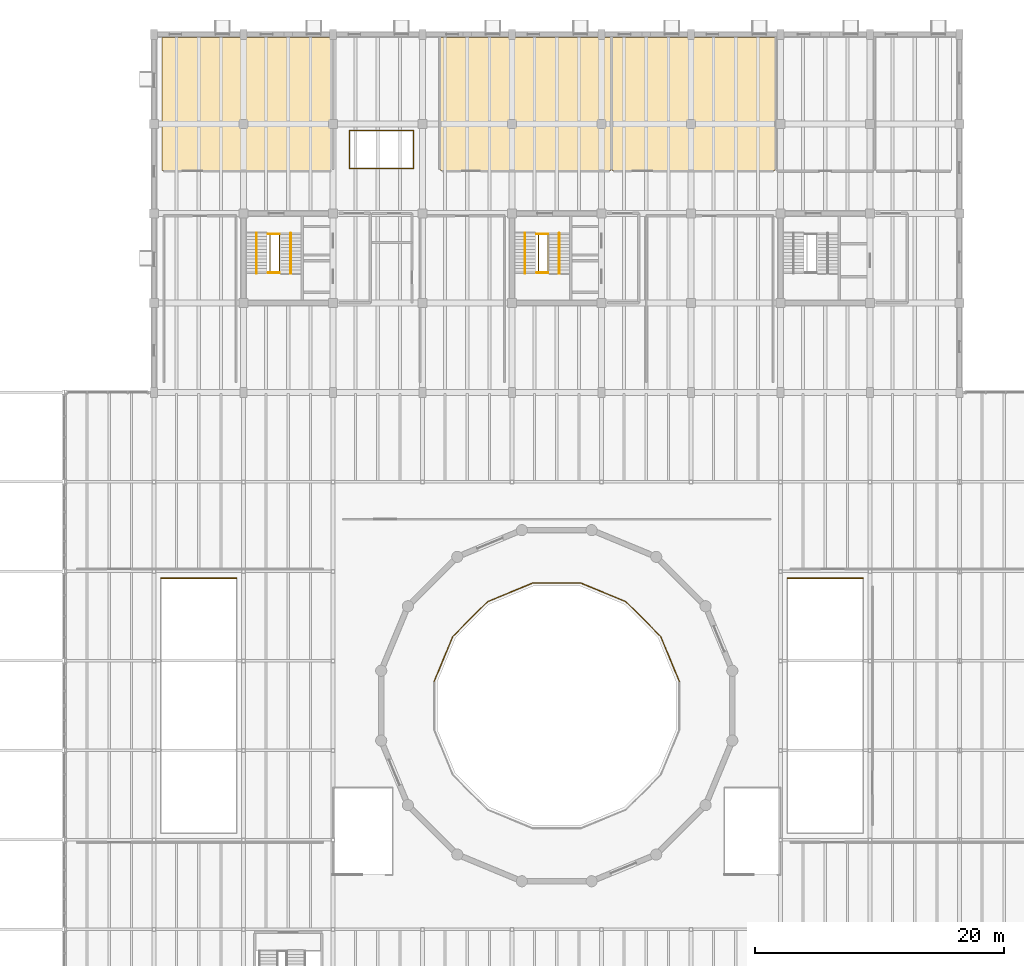
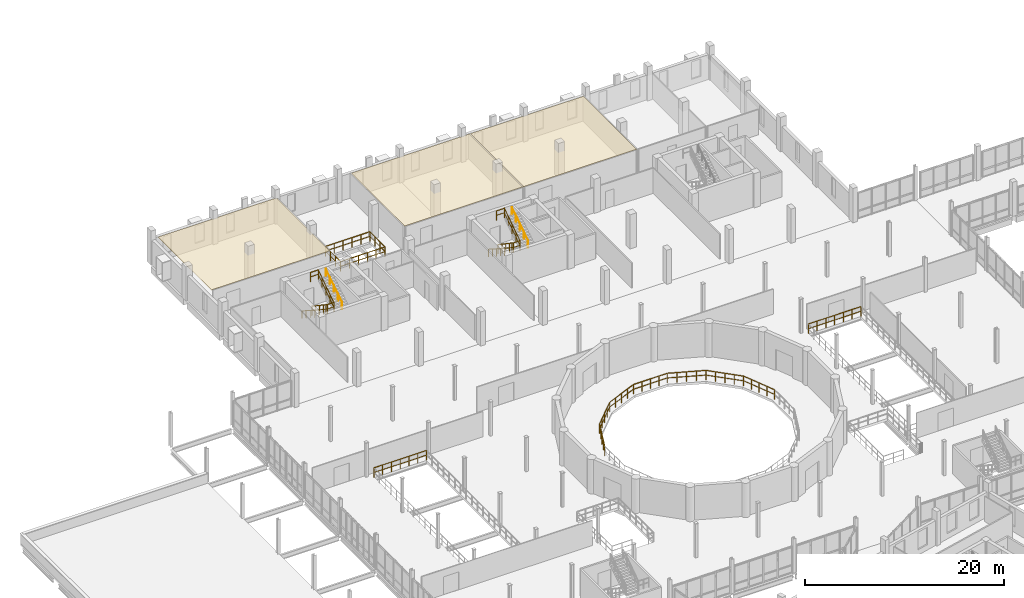
# One storey, part 70 of 72: 25 railings, 3 coverings.
"""IFC4 building model written with IfcOpenShell, lengths in metres."""

from ifc_helpers import new_model, si_unit, direction, frame, origin, origin_2d, place, context, subcontext, project, spatial, polyline, circle, outline, extrude, material, layer, layer_set, type_object, element, save


model = new_model("IFC4")

# Units and contexts
model_context = context("Model", 3, precision=1e-05, world=origin(), true_north=direction((0.0, 1.0)))
body_context = subcontext(model_context, "Body", "Model", "MODEL_VIEW")
ifc_project = project(units=[si_unit("LENGTHUNIT", "METRE"), si_unit("AREAUNIT", "SQUARE_METRE"), si_unit("VOLUMEUNIT", "CUBIC_METRE"), si_unit("PLANEANGLEUNIT", "RADIAN"), si_unit("MASSUNIT", "GRAM", prefix="KILO")], contexts=[model_context])

# Site, building, storey
site_placement = place(None, origin())
site = spatial("IfcSite", under=ifc_project, at=site_placement, CompositionType="ELEMENT")
building_placement = place(site_placement, origin())
building = spatial("IfcBuilding", under=site, at=building_placement, Name="Qiaolan Assembly House", CompositionType="ELEMENT")
storey_placement = place(building_placement, frame((0.0, 0.0, 10.199951171875)))
storey = spatial("IfcBuildingStorey", under=building, at=storey_placement, Name="L02", CompositionType="ELEMENT", Elevation=10.199951171875)

# Coverings
ifc_material_1 = material(Name="Gypsum plasterboard acoustic ceiling")
ifc_layer = layer(ifc_material_1, 0.052001953125)
ifc_layer_set = layer_set([ifc_layer], Name="Gypsum plasterboard acoustic ceiling")
covering_type = type_object("IfcCoveringType", Name="COV-CEIL-GYPSUM", PredefinedType="CEILING", material=ifc_layer_set)
covering_1_placement = place(storey_placement, frame((0.0, 0.0, 3.028076171875)))
element("IfcCovering", 1, at=covering_1_placement, inside=storey, type_object=covering_type, Name="Suspended ceiling Committee Room 3 — Transport & Infrastructure", PredefinedType="CEILING", context=body_context, shape_type="SweptSolid", body=[
    extrude(outline(polyline([(36.639892578125, 104.239990234375), (50.360107421875, 104.239990234375), (50.360107421875, 114.949951171875), (36.639892578125, 114.949951171875), (36.639892578125, 104.239990234375)])), origin(), (0.0, 0.0, 1.0), 0.052001953125),
])
covering_2_placement = place(storey_placement, frame((0.0, 0.0, 3.028076171875)))
element("IfcCovering", 2, at=covering_2_placement, inside=storey, type_object=covering_type, Name="Suspended ceiling Committee Room 4 — Ecology & Yangtze Basin", PredefinedType="CEILING", context=body_context, shape_type="SweptSolid", body=[
    extrude(outline(polyline([(59.0400390625, 104.239990234375), (72.760009765625, 104.239990234375), (72.760009765625, 114.949951171875), (59.0400390625, 114.949951171875), (59.0400390625, 104.239990234375)])), origin(), (0.0, 0.0, 1.0), 0.052001953125),
])
covering_3_placement = place(storey_placement, frame((0.0, 0.0, 3.028076171875)))
element("IfcCovering", 3, at=covering_3_placement, inside=storey, type_object=covering_type, Name="Suspended ceiling Standing Committee Deliberation Room", PredefinedType="CEILING", context=body_context, shape_type="SweptSolid", body=[
    extrude(outline(polyline([(72.840087890625, 104.239990234375), (85.9599609375, 104.239990234375), (85.9599609375, 114.949951171875), (72.840087890625, 114.949951171875), (72.840087890625, 104.239990234375)])), origin(), (0.0, 0.0, 1.0), 0.052001953125),
])

# Railings
ifc_material_2 = material(Name="Anodised bronze aluminium", Category="aluminium")
railing_type_1 = type_object("IfcRailingType", Name="RAL-GUARD-GALLERY-1200", PredefinedType="BALUSTRADE", material=ifc_material_2)
railing_1_placement = place(storey_placement, frame((78.2568359375, 63.16064453125, 0.0)))
element("IfcRailing", 4, at=railing_1_placement, inside=storey, type_object=railing_type_1, Name="GR-02 Council Chamber Public Gallery Balustrade seg 1", PredefinedType="BALUSTRADE", context=body_context, shape_type="SweptSolid", body=[
    extrude(circle(Radius=0.02392578125, at=origin_2d()), frame((0.0, 0.0, 1.17578125), z_axis=(-0.382656060744, 0.923890869733, 0.0), x_axis=(-0.923890869733, -0.382656060744, 0.0)), (0.0, 0.0, 1.0), 3.921142578125),
    extrude(circle(Radius=0.01611328125, at=origin_2d()), frame((0.0, 0.0, 0.60009765625), z_axis=(-0.382656060744, 0.923890869733, 0.0), x_axis=(-0.923890869733, -0.382656060744, 0.0)), (0.0, 0.0, 1.0), 3.921142578125),
    extrude(circle(Radius=0.02099609375, at=origin_2d()), origin(), (0.0, 0.0, 1.0), 1.15185546875),
    extrude(circle(Radius=0.02099609375, at=origin_2d()), frame((-0.375, 0.90576171875, 0.0)), (0.0, 0.0, 1.0), 1.15185546875),
    extrude(circle(Radius=0.02099609375, at=origin_2d()), frame((-0.750244140625, 1.8115234375, 0.0)), (0.0, 0.0, 1.0), 1.15185546875),
    extrude(circle(Radius=0.02099609375, at=origin_2d()), frame((-1.12548828125, 2.717041015625, 0.0)), (0.0, 0.0, 1.0), 1.15185546875),
    extrude(circle(Radius=0.02099609375, at=origin_2d()), frame((-1.50048828125, 3.622802734375, 0.0)), (0.0, 0.0, 1.0), 1.15185546875),
])
railing_2_placement = place(storey_placement, frame((76.75634765625, 66.783447265625, 0.0)))
element("IfcRailing", 5, at=railing_2_placement, inside=storey, type_object=railing_type_1, Name="GR-02 Council Chamber Public Gallery Balustrade seg 2", PredefinedType="BALUSTRADE", context=body_context, shape_type="SweptSolid", body=[
    extrude(circle(Radius=0.02392578125, at=origin_2d()), frame((0.0, 0.0, 1.17578125), z_axis=(-0.70713791001, 0.707075650993, 0.0), x_axis=(-0.707075650993, -0.70713791001, 0.0)), (0.0, 0.0, 1.0), 3.92138671875),
    extrude(circle(Radius=0.01611328125, at=origin_2d()), frame((0.0, 0.0, 0.60009765625), z_axis=(-0.70713791001, 0.707075650993, 0.0), x_axis=(-0.707075650993, -0.70713791001, 0.0)), (0.0, 0.0, 1.0), 3.92138671875),
    extrude(circle(Radius=0.02099609375, at=origin_2d()), origin(), (0.0, 0.0, 1.0), 1.15185546875),
    extrude(circle(Radius=0.02099609375, at=origin_2d()), frame((-0.693359375, 0.693115234375, 0.0)), (0.0, 0.0, 1.0), 1.15185546875),
    extrude(circle(Radius=0.02099609375, at=origin_2d()), frame((-1.386474609375, 1.38623046875, 0.0)), (0.0, 0.0, 1.0), 1.15185546875),
    extrude(circle(Radius=0.02099609375, at=origin_2d()), frame((-2.07958984375, 2.07958984375, 0.0)), (0.0, 0.0, 1.0), 1.15185546875),
    extrude(circle(Radius=0.02099609375, at=origin_2d()), frame((-2.77294921875, 2.772705078125, 0.0)), (0.0, 0.0, 1.0), 1.15185546875),
])
railing_3_placement = place(storey_placement, frame((73.9833984375, 69.55615234375, 0.0)))
element("IfcRailing", 6, at=railing_3_placement, inside=storey, type_object=railing_type_1, Name="GR-02 Council Chamber Public Gallery Balustrade seg 3", PredefinedType="BALUSTRADE", context=body_context, shape_type="SweptSolid", body=[
    extrude(circle(Radius=0.02392578125, at=origin_2d()), frame((0.0, 0.0, 1.17578125), z_axis=(-0.923868857448, 0.38270920323, 0.0), x_axis=(-0.38270920323, -0.923868857448, 0.0)), (0.0, 0.0, 1.0), 3.92138671875),
    extrude(circle(Radius=0.01611328125, at=origin_2d()), frame((0.0, 0.0, 0.60009765625), z_axis=(-0.923868857448, 0.38270920323, 0.0), x_axis=(-0.38270920323, -0.923868857448, 0.0)), (0.0, 0.0, 1.0), 3.92138671875),
    extrude(circle(Radius=0.02099609375, at=origin_2d()), origin(), (0.0, 0.0, 1.0), 1.15185546875),
    extrude(circle(Radius=0.02099609375, at=origin_2d()), frame((-0.90576171875, 0.375244140625, 0.0)), (0.0, 0.0, 1.0), 1.15185546875),
    extrude(circle(Radius=0.02099609375, at=origin_2d()), frame((-1.8115234375, 0.75048828125, 0.0)), (0.0, 0.0, 1.0), 1.15185546875),
    extrude(circle(Radius=0.02099609375, at=origin_2d()), frame((-2.717041015625, 1.12548828125, 0.0)), (0.0, 0.0, 1.0), 1.15185546875),
    extrude(circle(Radius=0.02099609375, at=origin_2d()), frame((-3.622802734375, 1.500732421875, 0.0)), (0.0, 0.0, 1.0), 1.15185546875),
])
railing_4_placement = place(storey_placement, frame((70.360595703125, 71.056884765625, 0.0)))
element("IfcRailing", 7, at=railing_4_placement, inside=storey, type_object=railing_type_1, Name="GR-02 Council Chamber Public Gallery Balustrade seg 4", PredefinedType="BALUSTRADE", context=body_context, shape_type="SweptSolid", body=[
    extrude(circle(Radius=0.02392578125, at=origin_2d()), frame((0.0, 0.0, 1.17578125), z_axis=(-1.0, 0.0, 0.0), x_axis=(0.0, -1.0, 0.0)), (0.0, 0.0, 1.0), 3.921142578125),
    extrude(circle(Radius=0.01611328125, at=origin_2d()), frame((0.0, 0.0, 0.60009765625), z_axis=(-1.0, 0.0, 0.0), x_axis=(0.0, -1.0, 0.0)), (0.0, 0.0, 1.0), 3.921142578125),
    extrude(circle(Radius=0.02099609375, at=origin_2d()), origin(), (0.0, 0.0, 1.0), 1.15185546875),
    extrude(circle(Radius=0.02099609375, at=origin_2d()), frame((-0.980224609375, 0.0, 0.0)), (0.0, 0.0, 1.0), 1.15185546875),
    extrude(circle(Radius=0.02099609375, at=origin_2d()), frame((-1.96044921875, 0.0, 0.0)), (0.0, 0.0, 1.0), 1.15185546875),
    extrude(circle(Radius=0.02099609375, at=origin_2d()), frame((-2.94091796875, 0.0, 0.0)), (0.0, 0.0, 1.0), 1.15185546875),
    extrude(circle(Radius=0.02099609375, at=origin_2d()), frame((-3.921142578125, 0.0, 0.0)), (0.0, 0.0, 1.0), 1.15185546875),
])
railing_5_placement = place(storey_placement, frame((66.439453125, 71.056884765625, 0.0)))
element("IfcRailing", 8, at=railing_5_placement, inside=storey, type_object=railing_type_1, Name="GR-02 Council Chamber Public Gallery Balustrade seg 5", PredefinedType="BALUSTRADE", context=body_context, shape_type="SweptSolid", body=[
    extrude(circle(Radius=0.02392578125, at=origin_2d()), frame((0.0, 0.0, 1.17578125), z_axis=(-0.923877975584, -0.382687191099, 0.0), x_axis=(0.382687191099, -0.923877975584, 0.0)), (0.0, 0.0, 1.0), 3.921630859375),
    extrude(circle(Radius=0.01611328125, at=origin_2d()), frame((0.0, 0.0, 0.60009765625), z_axis=(-0.923877975584, -0.382687191099, 0.0), x_axis=(0.382687191099, -0.923877975584, 0.0)), (0.0, 0.0, 1.0), 3.921630859375),
    extrude(circle(Radius=0.02099609375, at=origin_2d()), origin(), (0.0, 0.0, 1.0), 1.15185546875),
    extrude(circle(Radius=0.02099609375, at=origin_2d()), frame((-0.90576171875, -0.375244140625, 0.0)), (0.0, 0.0, 1.0), 1.15185546875),
    extrude(circle(Radius=0.02099609375, at=origin_2d()), frame((-1.8115234375, -0.75048828125, 0.0)), (0.0, 0.0, 1.0), 1.15185546875),
    extrude(circle(Radius=0.02099609375, at=origin_2d()), frame((-2.71728515625, -1.12548828125, 0.0)), (0.0, 0.0, 1.0), 1.15185546875),
    extrude(circle(Radius=0.02099609375, at=origin_2d()), frame((-3.623046875, -1.500732421875, 0.0)), (0.0, 0.0, 1.0), 1.15185546875),
])
railing_6_placement = place(storey_placement, frame((62.81640625, 69.55615234375, 0.0)))
element("IfcRailing", 9, at=railing_6_placement, inside=storey, type_object=railing_type_1, Name="GR-02 Council Chamber Public Gallery Balustrade seg 6", PredefinedType="BALUSTRADE", context=body_context, shape_type="SweptSolid", body=[
    extrude(circle(Radius=0.02392578125, at=origin_2d()), frame((0.0, 0.0, 1.17578125), z_axis=(-0.707106781187, -0.707106781187, 0.0), x_axis=(0.707106781187, -0.707106781187, 0.0)), (0.0, 0.0, 1.0), 3.921142578125),
    extrude(circle(Radius=0.01611328125, at=origin_2d()), frame((0.0, 0.0, 0.60009765625), z_axis=(-0.707106781187, -0.707106781187, 0.0), x_axis=(0.707106781187, -0.707106781187, 0.0)), (0.0, 0.0, 1.0), 3.921142578125),
    extrude(circle(Radius=0.02099609375, at=origin_2d()), origin(), (0.0, 0.0, 1.0), 1.15185546875),
    extrude(circle(Radius=0.02099609375, at=origin_2d()), frame((-0.693115234375, -0.693115234375, 0.0)), (0.0, 0.0, 1.0), 1.15185546875),
    extrude(circle(Radius=0.02099609375, at=origin_2d()), frame((-1.38623046875, -1.38623046875, 0.0)), (0.0, 0.0, 1.0), 1.15185546875),
    extrude(circle(Radius=0.02099609375, at=origin_2d()), frame((-2.07958984375, -2.07958984375, 0.0)), (0.0, 0.0, 1.0), 1.15185546875),
    extrude(circle(Radius=0.02099609375, at=origin_2d()), frame((-2.772705078125, -2.772705078125, 0.0)), (0.0, 0.0, 1.0), 1.15185546875),
])
railing_7_placement = place(storey_placement, frame((60.043701171875, 66.783447265625, 0.0)))
element("IfcRailing", 10, at=railing_7_placement, inside=storey, type_object=railing_type_1, Name="GR-02 Council Chamber Public Gallery Balustrade seg 7", PredefinedType="BALUSTRADE", context=body_context, shape_type="SweptSolid", body=[
    extrude(circle(Radius=0.02392578125, at=origin_2d()), frame((0.0, 0.0, 1.17578125), z_axis=(-0.382656060744, -0.923890869733, 0.0), x_axis=(0.923890869733, -0.382656060744, 0.0)), (0.0, 0.0, 1.0), 3.921142578125),
    extrude(circle(Radius=0.01611328125, at=origin_2d()), frame((0.0, 0.0, 0.60009765625), z_axis=(-0.382656060744, -0.923890869733, 0.0), x_axis=(0.923890869733, -0.382656060744, 0.0)), (0.0, 0.0, 1.0), 3.921142578125),
    extrude(circle(Radius=0.02099609375, at=origin_2d()), origin(), (0.0, 0.0, 1.0), 1.15185546875),
    extrude(circle(Radius=0.02099609375, at=origin_2d()), frame((-0.375, -0.90576171875, 0.0)), (0.0, 0.0, 1.0), 1.15185546875),
    extrude(circle(Radius=0.02099609375, at=origin_2d()), frame((-0.750244140625, -1.8115234375, 0.0)), (0.0, 0.0, 1.0), 1.15185546875),
    extrude(circle(Radius=0.02099609375, at=origin_2d()), frame((-1.12548828125, -2.717041015625, 0.0)), (0.0, 0.0, 1.0), 1.15185546875),
    extrude(circle(Radius=0.02099609375, at=origin_2d()), frame((-1.50048828125, -3.622802734375, 0.0)), (0.0, 0.0, 1.0), 1.15185546875),
])
railing_8_placement = place(storey_placement, frame((36.550048828125, 71.449951171875, 0.0)))
element("IfcRailing", 11, at=railing_8_placement, inside=storey, type_object=railing_type_1, Name="GR-02 Public Hall Atrium Void Balustrade W L02 seg 2", PredefinedType="BALUSTRADE", context=body_context, shape_type="SweptSolid", body=[
    extrude(circle(Radius=0.02392578125, at=origin_2d()), frame((0.0, 0.0, 1.17578125), z_axis=(1.0, 0.0, 0.0), x_axis=(0.0, 1.0, 0.0)), (0.0, 0.0, 1.0), 6.099853515625),
    extrude(circle(Radius=0.01611328125, at=origin_2d()), frame((0.0, 0.0, 0.60009765625), z_axis=(1.0, 0.0, 0.0), x_axis=(0.0, 1.0, 0.0)), (0.0, 0.0, 1.0), 6.099853515625),
    extrude(circle(Radius=0.02099609375, at=origin_2d()), origin(), (0.0, 0.0, 1.0), 1.15185546875),
    extrude(circle(Radius=0.02099609375, at=origin_2d()), frame((1.0166015625, 0.0, 0.0)), (0.0, 0.0, 1.0), 1.15185546875),
    extrude(circle(Radius=0.02099609375, at=origin_2d()), frame((2.033203125, 0.0, 0.0)), (0.0, 0.0, 1.0), 1.15185546875),
    extrude(circle(Radius=0.02099609375, at=origin_2d()), frame((3.0498046875, 0.0, 0.0)), (0.0, 0.0, 1.0), 1.15185546875),
    extrude(circle(Radius=0.02099609375, at=origin_2d()), frame((4.066650390625, 0.0, 0.0)), (0.0, 0.0, 1.0), 1.15185546875),
    extrude(circle(Radius=0.02099609375, at=origin_2d()), frame((5.083251953125, 0.0, 0.0)), (0.0, 0.0, 1.0), 1.15185546875),
    extrude(circle(Radius=0.02099609375, at=origin_2d()), frame((6.099853515625, 0.0, 0.0)), (0.0, 0.0, 1.0), 1.15185546875),
])
railing_9_placement = place(storey_placement, frame((86.949951171875, 71.449951171875, 0.0)))
element("IfcRailing", 12, at=railing_9_placement, inside=storey, type_object=railing_type_1, Name="GR-02 Public Hall Atrium Void Balustrade E L02 seg 2", PredefinedType="BALUSTRADE", context=body_context, shape_type="SweptSolid", body=[
    extrude(circle(Radius=0.02392578125, at=origin_2d()), frame((0.0, 0.0, 1.17578125), z_axis=(1.0, 0.0, 0.0), x_axis=(0.0, 1.0, 0.0)), (0.0, 0.0, 1.0), 6.10009765625),
    extrude(circle(Radius=0.01611328125, at=origin_2d()), frame((0.0, 0.0, 0.60009765625), z_axis=(1.0, 0.0, 0.0), x_axis=(0.0, 1.0, 0.0)), (0.0, 0.0, 1.0), 6.10009765625),
    extrude(circle(Radius=0.02099609375, at=origin_2d()), origin(), (0.0, 0.0, 1.0), 1.15185546875),
    extrude(circle(Radius=0.02099609375, at=origin_2d()), frame((1.0166015625, 0.0, 0.0)), (0.0, 0.0, 1.0), 1.15185546875),
    extrude(circle(Radius=0.02099609375, at=origin_2d()), frame((2.033447265625, 0.0, 0.0)), (0.0, 0.0, 1.0), 1.15185546875),
    extrude(circle(Radius=0.02099609375, at=origin_2d()), frame((3.050048828125, 0.0, 0.0)), (0.0, 0.0, 1.0), 1.15185546875),
    extrude(circle(Radius=0.02099609375, at=origin_2d()), frame((4.066650390625, 0.0, 0.0)), (0.0, 0.0, 1.0), 1.15185546875),
    extrude(circle(Radius=0.02099609375, at=origin_2d()), frame((5.08349609375, 0.0, 0.0)), (0.0, 0.0, 1.0), 1.15185546875),
    extrude(circle(Radius=0.02099609375, at=origin_2d()), frame((6.10009765625, 0.0, 0.0)), (0.0, 0.0, 1.0), 1.15185546875),
])
railing_10_placement = place(storey_placement, frame((51.719970703125, 104.419921875, 0.0)))
element("IfcRailing", 13, at=railing_10_placement, inside=storey, type_object=railing_type_1, Name="GR-02 North-West Wing Lightwell Atrium Balustrade L02 seg 1", PredefinedType="BALUSTRADE", context=body_context, shape_type="SweptSolid", body=[
    extrude(circle(Radius=0.02392578125, at=origin_2d()), frame((0.0, 0.0, 1.17578125), z_axis=(1.0, 0.0, 0.0), x_axis=(0.0, 1.0, 0.0)), (0.0, 0.0, 1.0), 5.159912109375),
    extrude(circle(Radius=0.01611328125, at=origin_2d()), frame((0.0, 0.0, 0.60009765625), z_axis=(1.0, 0.0, 0.0), x_axis=(0.0, 1.0, 0.0)), (0.0, 0.0, 1.0), 5.159912109375),
    extrude(circle(Radius=0.02099609375, at=origin_2d()), origin(), (0.0, 0.0, 1.0), 1.15185546875),
    extrude(circle(Radius=0.02099609375, at=origin_2d()), frame((1.031982421875, 0.0, 0.0)), (0.0, 0.0, 1.0), 1.15185546875),
    extrude(circle(Radius=0.02099609375, at=origin_2d()), frame((2.06396484375, 0.0, 0.0)), (0.0, 0.0, 1.0), 1.15185546875),
    extrude(circle(Radius=0.02099609375, at=origin_2d()), frame((3.095947265625, 0.0, 0.0)), (0.0, 0.0, 1.0), 1.15185546875),
    extrude(circle(Radius=0.02099609375, at=origin_2d()), frame((4.1279296875, 0.0, 0.0)), (0.0, 0.0, 1.0), 1.15185546875),
    extrude(circle(Radius=0.02099609375, at=origin_2d()), frame((5.159912109375, 0.0, 0.0)), (0.0, 0.0, 1.0), 1.15185546875),
])
railing_11_placement = place(storey_placement, frame((56.8798828125, 104.419921875, 0.0)))
element("IfcRailing", 14, at=railing_11_placement, inside=storey, type_object=railing_type_1, Name="GR-02 North-West Wing Lightwell Atrium Balustrade L02 seg 2", PredefinedType="BALUSTRADE", context=body_context, shape_type="SweptSolid", body=[
    extrude(circle(Radius=0.02392578125, at=origin_2d()), frame((0.0, 0.0, 1.17578125), z_axis=(0.0, 1.0, 0.0), x_axis=(-1.0, 0.0, 0.0)), (0.0, 0.0, 1.0), 3.06005859375),
    extrude(circle(Radius=0.01611328125, at=origin_2d()), frame((0.0, 0.0, 0.60009765625), z_axis=(0.0, 1.0, 0.0), x_axis=(-1.0, 0.0, 0.0)), (0.0, 0.0, 1.0), 3.06005859375),
    extrude(circle(Radius=0.02099609375, at=origin_2d()), origin(), (0.0, 0.0, 1.0), 1.15185546875),
    extrude(circle(Radius=0.02099609375, at=origin_2d()), frame((0.0, 1.02001953125, 0.0)), (0.0, 0.0, 1.0), 1.15185546875),
    extrude(circle(Radius=0.02099609375, at=origin_2d()), frame((0.0, 2.0400390625, 0.0)), (0.0, 0.0, 1.0), 1.15185546875),
    extrude(circle(Radius=0.02099609375, at=origin_2d()), frame((0.0, 3.06005859375, 0.0)), (0.0, 0.0, 1.0), 1.15185546875),
])
railing_12_placement = place(storey_placement, frame((56.8798828125, 107.47998046875, 0.0)))
element("IfcRailing", 15, at=railing_12_placement, inside=storey, type_object=railing_type_1, Name="GR-02 North-West Wing Lightwell Atrium Balustrade L02 seg 3", PredefinedType="BALUSTRADE", context=body_context, shape_type="SweptSolid", body=[
    extrude(circle(Radius=0.02392578125, at=origin_2d()), frame((0.0, 0.0, 1.17578125), z_axis=(-1.0, 0.0, 0.0), x_axis=(0.0, -1.0, 0.0)), (0.0, 0.0, 1.0), 5.159912109375),
    extrude(circle(Radius=0.01611328125, at=origin_2d()), frame((0.0, 0.0, 0.60009765625), z_axis=(-1.0, 0.0, 0.0), x_axis=(0.0, -1.0, 0.0)), (0.0, 0.0, 1.0), 5.159912109375),
    extrude(circle(Radius=0.02099609375, at=origin_2d()), origin(), (0.0, 0.0, 1.0), 1.15185546875),
    extrude(circle(Radius=0.02099609375, at=origin_2d()), frame((-1.031982421875, 0.0, 0.0)), (0.0, 0.0, 1.0), 1.15185546875),
    extrude(circle(Radius=0.02099609375, at=origin_2d()), frame((-2.06396484375, 0.0, 0.0)), (0.0, 0.0, 1.0), 1.15185546875),
    extrude(circle(Radius=0.02099609375, at=origin_2d()), frame((-3.095947265625, 0.0, 0.0)), (0.0, 0.0, 1.0), 1.15185546875),
    extrude(circle(Radius=0.02099609375, at=origin_2d()), frame((-4.1279296875, 0.0, 0.0)), (0.0, 0.0, 1.0), 1.15185546875),
    extrude(circle(Radius=0.02099609375, at=origin_2d()), frame((-5.159912109375, 0.0, 0.0)), (0.0, 0.0, 1.0), 1.15185546875),
])
railing_13_placement = place(storey_placement, frame((51.719970703125, 107.47998046875, 0.0)))
element("IfcRailing", 16, at=railing_13_placement, inside=storey, type_object=railing_type_1, Name="GR-02 North-West Wing Lightwell Atrium Balustrade L02 seg 4", PredefinedType="BALUSTRADE", context=body_context, shape_type="SweptSolid", body=[
    extrude(circle(Radius=0.02392578125, at=origin_2d()), frame((0.0, 0.0, 1.17578125), z_axis=(0.0, -1.0, 0.0), x_axis=(1.0, 0.0, 0.0)), (0.0, 0.0, 1.0), 3.06005859375),
    extrude(circle(Radius=0.01611328125, at=origin_2d()), frame((0.0, 0.0, 0.60009765625), z_axis=(0.0, -1.0, 0.0), x_axis=(1.0, 0.0, 0.0)), (0.0, 0.0, 1.0), 3.06005859375),
    extrude(circle(Radius=0.02099609375, at=origin_2d()), origin(), (0.0, 0.0, 1.0), 1.15185546875),
    extrude(circle(Radius=0.02099609375, at=origin_2d()), frame((0.0, -1.02001953125, 0.0)), (0.0, 0.0, 1.0), 1.15185546875),
    extrude(circle(Radius=0.02099609375, at=origin_2d()), frame((0.0, -2.0400390625, 0.0)), (0.0, 0.0, 1.0), 1.15185546875),
    extrude(circle(Radius=0.02099609375, at=origin_2d()), frame((0.0, -3.06005859375, 0.0)), (0.0, 0.0, 1.0), 1.15185546875),
])
railing_type_2 = type_object("IfcRailingType", Name="RAL-GUARD-STAIRWELL-1150", PredefinedType="GUARDRAIL", material=ifc_material_2)
railing_14_placement = place(storey_placement, frame((45.340087890625, 99.14990234375, 0.0)))
element("IfcRailing", 17, at=railing_14_placement, inside=storey, type_object=railing_type_2, Name="GR-01 stair inner-well guard FLT-CORE-A-L02-1", PredefinedType="GUARDRAIL", context=body_context, shape_type="SweptSolid", body=[
    extrude(circle(Radius=0.02392578125, at=origin_2d()), frame((0.0, 0.0, 1.1259765625), z_axis=(0.0, -0.829565193945, 0.558409875445), x_axis=(1.0, 0.0, 0.0)), (0.0, 0.0, 1.0), 3.7607421875),
    extrude(circle(Radius=0.01611328125, at=origin_2d()), frame((0.0, 0.0, 0.574951171875), z_axis=(0.0, -0.829565193945, 0.558409875445), x_axis=(1.0, 0.0, 0.0)), (0.0, 0.0, 1.0), 3.7607421875),
    extrude(circle(Radius=0.02099609375, at=origin_2d()), origin(), (0.0, 0.0, 1.0), 1.101806640625),
    extrude(circle(Radius=0.02099609375, at=origin_2d()), frame((0.0, -0.780029296875, 0.52490234375)), (0.0, 0.0, 1.0), 1.101806640625),
    extrude(circle(Radius=0.02099609375, at=origin_2d()), frame((0.0, -1.56005859375, 1.050048828125)), (0.0, 0.0, 1.0), 1.101806640625),
    extrude(circle(Radius=0.02099609375, at=origin_2d()), frame((0.0, -2.33984375, 1.5751953125)), (0.0, 0.0, 1.0), 1.101806640625),
    extrude(circle(Radius=0.02099609375, at=origin_2d()), frame((0.0, -3.119873046875, 2.10009765625)), (0.0, 0.0, 1.0), 1.101806640625),
])
railing_15_placement = place(storey_placement, frame((46.080078125, 96.030029296875, 2.10009765625)))
element("IfcRailing", 18, at=railing_15_placement, inside=storey, type_object=railing_type_2, Name="GR-01 stair inner-well guard FLT-CORE-A-L02-2", PredefinedType="GUARDRAIL", context=body_context, shape_type="SweptSolid", body=[
    extrude(circle(Radius=0.02392578125, at=origin_2d()), frame((0.0, 0.0, 1.1259765625), z_axis=(0.0, 0.829595265483, 0.558365199031), x_axis=(-1.0, 0.0, 0.0)), (0.0, 0.0, 1.0), 3.7607421875),
    extrude(circle(Radius=0.01611328125, at=origin_2d()), frame((0.0, 0.0, 0.574951171875), z_axis=(0.0, 0.829595265483, 0.558365199031), x_axis=(-1.0, 0.0, 0.0)), (0.0, 0.0, 1.0), 3.7607421875),
    extrude(circle(Radius=0.02099609375, at=origin_2d()), origin(), (0.0, 0.0, 1.0), 1.101806640625),
    extrude(circle(Radius=0.02099609375, at=origin_2d()), frame((0.0, 0.780029296875, 0.52490234375)), (0.0, 0.0, 1.0), 1.101806640625),
    extrude(circle(Radius=0.02099609375, at=origin_2d()), frame((0.0, 1.56005859375, 1.0498046875)), (0.0, 0.0, 1.0), 1.101806640625),
    extrude(circle(Radius=0.02099609375, at=origin_2d()), frame((0.0, 2.33984375, 1.574951171875)), (0.0, 0.0, 1.0), 1.101806640625),
    extrude(circle(Radius=0.02099609375, at=origin_2d()), frame((0.0, 3.119873046875, 2.099853515625)), (0.0, 0.0, 1.0), 1.101806640625),
])
for number, where, name in (
    (19, (45.179931640625, 96.030029296875, 2.10009765625), "GR-01 stairwell landing guard CORE-A L02-1"),
    (20, (45.179931640625, 99.14990234375, 4.199951171875), "GR-01 stairwell landing guard CORE-A L02-2"),
):
    element("IfcRailing", number, at=place(storey_placement, frame(where)), inside=storey, type_object=railing_type_2, Name=name, PredefinedType="GUARDRAIL", context=body_context, shape_type="SweptSolid", body=[
        extrude(circle(Radius=0.02392578125, at=origin_2d()), frame((0.0, 0.0, 1.1259765625), z_axis=(1.0, 0.0, 0.0), x_axis=(0.0, 1.0, 0.0)), (0.0, 0.0, 1.0), 0.920166015625),
        extrude(circle(Radius=0.01611328125, at=origin_2d()), frame((0.0, 0.0, 0.574951171875), z_axis=(1.0, 0.0, 0.0), x_axis=(0.0, 1.0, 0.0)), (0.0, 0.0, 1.0), 0.920166015625),
        extrude(circle(Radius=0.02099609375, at=origin_2d()), origin(), (0.0, 0.0, 1.0), 1.101806640625),
        extrude(circle(Radius=0.02099609375, at=origin_2d()), frame((0.920166015625, 0.0, 0.0)), (0.0, 0.0, 1.0), 1.101806640625),
    ])
railing_16_placement = place(storey_placement, frame((66.93994140625, 99.14990234375, 0.0)))
element("IfcRailing", 21, at=railing_16_placement, inside=storey, type_object=railing_type_2, Name="GR-01 stair inner-well guard FLT-CORE-B-L02-1", PredefinedType="GUARDRAIL", context=body_context, shape_type="SweptSolid", body=[
    extrude(circle(Radius=0.02392578125, at=origin_2d()), frame((0.0, 0.0, 1.1259765625), z_axis=(0.0, -0.829565193945, 0.558409875445), x_axis=(1.0, 0.0, 0.0)), (0.0, 0.0, 1.0), 3.7607421875),
    extrude(circle(Radius=0.01611328125, at=origin_2d()), frame((0.0, 0.0, 0.574951171875), z_axis=(0.0, -0.829565193945, 0.558409875445), x_axis=(1.0, 0.0, 0.0)), (0.0, 0.0, 1.0), 3.7607421875),
    extrude(circle(Radius=0.02099609375, at=origin_2d()), origin(), (0.0, 0.0, 1.0), 1.101806640625),
    extrude(circle(Radius=0.02099609375, at=origin_2d()), frame((0.0, -0.780029296875, 0.52490234375)), (0.0, 0.0, 1.0), 1.101806640625),
    extrude(circle(Radius=0.02099609375, at=origin_2d()), frame((0.0, -1.56005859375, 1.050048828125)), (0.0, 0.0, 1.0), 1.101806640625),
    extrude(circle(Radius=0.02099609375, at=origin_2d()), frame((0.0, -2.33984375, 1.5751953125)), (0.0, 0.0, 1.0), 1.101806640625),
    extrude(circle(Radius=0.02099609375, at=origin_2d()), frame((0.0, -3.119873046875, 2.10009765625)), (0.0, 0.0, 1.0), 1.101806640625),
])
railing_17_placement = place(storey_placement, frame((67.679931640625, 96.030029296875, 2.10009765625)))
element("IfcRailing", 22, at=railing_17_placement, inside=storey, type_object=railing_type_2, Name="GR-01 stair inner-well guard FLT-CORE-B-L02-2", PredefinedType="GUARDRAIL", context=body_context, shape_type="SweptSolid", body=[
    extrude(circle(Radius=0.02392578125, at=origin_2d()), frame((0.0, 0.0, 1.1259765625), z_axis=(0.0, 0.829595265483, 0.558365199031), x_axis=(-1.0, 0.0, 0.0)), (0.0, 0.0, 1.0), 3.7607421875),
    extrude(circle(Radius=0.01611328125, at=origin_2d()), frame((0.0, 0.0, 0.574951171875), z_axis=(0.0, 0.829595265483, 0.558365199031), x_axis=(-1.0, 0.0, 0.0)), (0.0, 0.0, 1.0), 3.7607421875),
    extrude(circle(Radius=0.02099609375, at=origin_2d()), origin(), (0.0, 0.0, 1.0), 1.101806640625),
    extrude(circle(Radius=0.02099609375, at=origin_2d()), frame((0.0, 0.780029296875, 0.52490234375)), (0.0, 0.0, 1.0), 1.101806640625),
    extrude(circle(Radius=0.02099609375, at=origin_2d()), frame((0.0, 1.56005859375, 1.0498046875)), (0.0, 0.0, 1.0), 1.101806640625),
    extrude(circle(Radius=0.02099609375, at=origin_2d()), frame((0.0, 2.33984375, 1.574951171875)), (0.0, 0.0, 1.0), 1.101806640625),
    extrude(circle(Radius=0.02099609375, at=origin_2d()), frame((0.0, 3.119873046875, 2.099853515625)), (0.0, 0.0, 1.0), 1.101806640625),
])
for number, where, name in (
    (23, (66.780029296875, 96.030029296875, 2.10009765625), "GR-01 stairwell landing guard CORE-B L02-1"),
    (24, (66.780029296875, 99.14990234375, 4.199951171875), "GR-01 stairwell landing guard CORE-B L02-2"),
):
    element("IfcRailing", number, at=place(storey_placement, frame(where)), inside=storey, type_object=railing_type_2, Name=name, PredefinedType="GUARDRAIL", context=body_context, shape_type="SweptSolid", body=[
        extrude(circle(Radius=0.02392578125, at=origin_2d()), frame((0.0, 0.0, 1.1259765625), z_axis=(1.0, 0.0, 0.0), x_axis=(0.0, 1.0, 0.0)), (0.0, 0.0, 1.0), 0.919921875),
        extrude(circle(Radius=0.01611328125, at=origin_2d()), frame((0.0, 0.0, 0.574951171875), z_axis=(1.0, 0.0, 0.0), x_axis=(0.0, 1.0, 0.0)), (0.0, 0.0, 1.0), 0.919921875),
        extrude(circle(Radius=0.02099609375, at=origin_2d()), origin(), (0.0, 0.0, 1.0), 1.101806640625),
        extrude(circle(Radius=0.02099609375, at=origin_2d()), frame((0.919921875, 0.0, 0.0)), (0.0, 0.0, 1.0), 1.101806640625),
    ])
railing_type_3 = type_object("IfcRailingType", Name="RAL-HANDRAIL-STAIR-920", PredefinedType="HANDRAIL", material=ifc_material_2)
railing_18_placement = place(storey_placement, frame((44.25, 99.2099609375, 0.0)))
element("IfcRailing", 25, at=railing_18_placement, inside=storey, type_object=railing_type_3, Name="HR-01 stair handrail FLT-CORE-A-L02-1", PredefinedType="HANDRAIL", context=body_context, shape_type="SweptSolid", body=[
    extrude(circle(Radius=0.02392578125, at=origin_2d()), frame((0.0, 0.0, 0.89599609375), z_axis=(0.0, -0.839140694364, 0.543914418877), x_axis=(1.0, 0.0, 0.0)), (0.0, 0.0, 1.0), 3.861083984375),
    extrude(circle(Radius=0.02099609375, at=origin_2d()), origin(), (0.0, 0.0, 1.0), 0.871826171875),
    extrude(circle(Radius=0.02099609375, at=origin_2d()), frame((0.0, -0.81005859375, 0.52490234375)), (0.0, 0.0, 1.0), 0.871826171875),
    extrude(circle(Radius=0.02099609375, at=origin_2d()), frame((0.0, -1.6201171875, 1.050048828125)), (0.0, 0.0, 1.0), 0.871826171875),
    extrude(circle(Radius=0.02099609375, at=origin_2d()), frame((0.0, -2.429931640625, 1.5751953125)), (0.0, 0.0, 1.0), 0.871826171875),
    extrude(circle(Radius=0.02099609375, at=origin_2d()), frame((0.0, -3.239990234375, 2.10009765625)), (0.0, 0.0, 1.0), 0.871826171875),
])
railing_19_placement = place(storey_placement, frame((47.0, 95.969970703125, 2.10009765625)))
element("IfcRailing", 26, at=railing_19_placement, inside=storey, type_object=railing_type_3, Name="HR-01 stair handrail FLT-CORE-A-L02-2", PredefinedType="HANDRAIL", context=body_context, shape_type="SweptSolid", body=[
    extrude(circle(Radius=0.02392578125, at=origin_2d()), frame((0.0, 0.0, 0.89599609375), z_axis=(0.0, 0.839169554186, 0.543869891911), x_axis=(-1.0, 0.0, 0.0)), (0.0, 0.0, 1.0), 3.86083984375),
    extrude(circle(Radius=0.02099609375, at=origin_2d()), origin(), (0.0, 0.0, 1.0), 0.871826171875),
    extrude(circle(Radius=0.02099609375, at=origin_2d()), frame((0.0, 0.81005859375, 0.52490234375)), (0.0, 0.0, 1.0), 0.871826171875),
    extrude(circle(Radius=0.02099609375, at=origin_2d()), frame((0.0, 1.6201171875, 1.0498046875)), (0.0, 0.0, 1.0), 0.871826171875),
    extrude(circle(Radius=0.02099609375, at=origin_2d()), frame((0.0, 2.429931640625, 1.574951171875)), (0.0, 0.0, 1.0), 0.871826171875),
    extrude(circle(Radius=0.02099609375, at=origin_2d()), frame((0.0, 3.239990234375, 2.099853515625)), (0.0, 0.0, 1.0), 0.871826171875),
])
railing_20_placement = place(storey_placement, frame((65.85009765625, 99.2099609375, 0.0)))
element("IfcRailing", 27, at=railing_20_placement, inside=storey, type_object=railing_type_3, Name="HR-01 stair handrail FLT-CORE-B-L02-1", PredefinedType="HANDRAIL", context=body_context, shape_type="SweptSolid", body=[
    extrude(circle(Radius=0.02392578125, at=origin_2d()), frame((0.0, 0.0, 0.89599609375), z_axis=(0.0, -0.839140694364, 0.543914418877), x_axis=(1.0, 0.0, 0.0)), (0.0, 0.0, 1.0), 3.861083984375),
    extrude(circle(Radius=0.02099609375, at=origin_2d()), origin(), (0.0, 0.0, 1.0), 0.871826171875),
    extrude(circle(Radius=0.02099609375, at=origin_2d()), frame((0.0, -0.81005859375, 0.52490234375)), (0.0, 0.0, 1.0), 0.871826171875),
    extrude(circle(Radius=0.02099609375, at=origin_2d()), frame((0.0, -1.6201171875, 1.050048828125)), (0.0, 0.0, 1.0), 0.871826171875),
    extrude(circle(Radius=0.02099609375, at=origin_2d()), frame((0.0, -2.429931640625, 1.5751953125)), (0.0, 0.0, 1.0), 0.871826171875),
    extrude(circle(Radius=0.02099609375, at=origin_2d()), frame((0.0, -3.239990234375, 2.10009765625)), (0.0, 0.0, 1.0), 0.871826171875),
])
railing_21_placement = place(storey_placement, frame((68.60009765625, 95.969970703125, 2.10009765625)))
element("IfcRailing", 28, at=railing_21_placement, inside=storey, type_object=railing_type_3, Name="HR-01 stair handrail FLT-CORE-B-L02-2", PredefinedType="HANDRAIL", context=body_context, shape_type="SweptSolid", body=[
    extrude(circle(Radius=0.02392578125, at=origin_2d()), frame((0.0, 0.0, 0.89599609375), z_axis=(0.0, 0.839169554186, 0.543869891911), x_axis=(-1.0, 0.0, 0.0)), (0.0, 0.0, 1.0), 3.86083984375),
    extrude(circle(Radius=0.02099609375, at=origin_2d()), origin(), (0.0, 0.0, 1.0), 0.871826171875),
    extrude(circle(Radius=0.02099609375, at=origin_2d()), frame((0.0, 0.81005859375, 0.52490234375)), (0.0, 0.0, 1.0), 0.871826171875),
    extrude(circle(Radius=0.02099609375, at=origin_2d()), frame((0.0, 1.6201171875, 1.0498046875)), (0.0, 0.0, 1.0), 0.871826171875),
    extrude(circle(Radius=0.02099609375, at=origin_2d()), frame((0.0, 2.429931640625, 1.574951171875)), (0.0, 0.0, 1.0), 0.871826171875),
    extrude(circle(Radius=0.02099609375, at=origin_2d()), frame((0.0, 3.239990234375, 2.099853515625)), (0.0, 0.0, 1.0), 0.871826171875),
])

save(model, "model.ifc")
